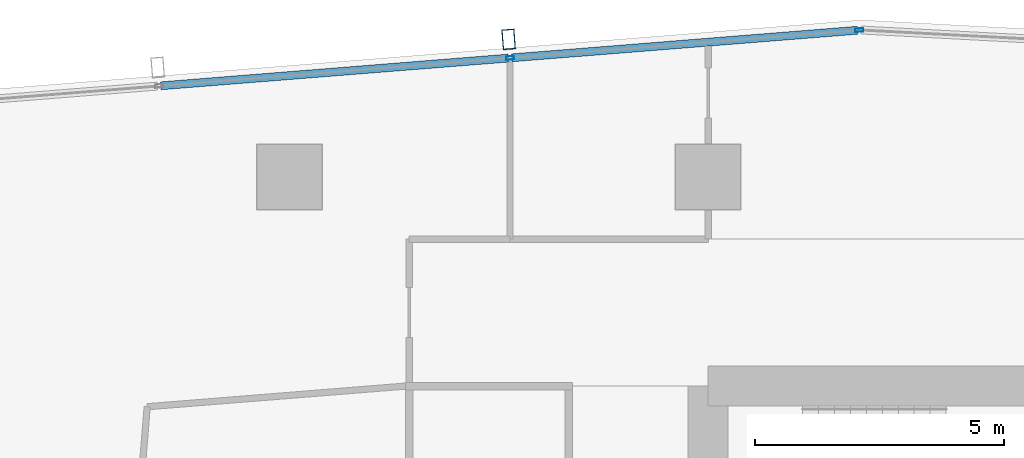
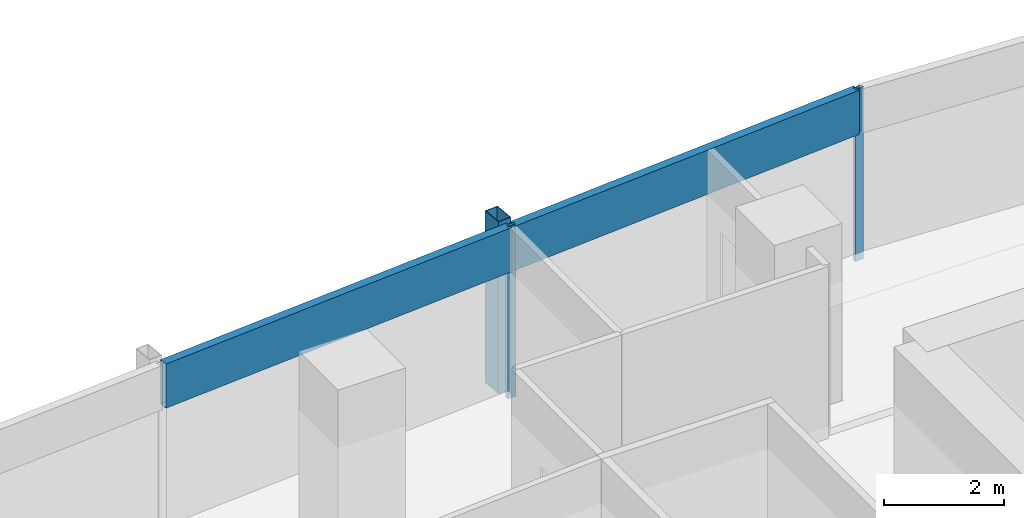
# One storey, part 13 of 26: 5 members, 1 element without a shape of its own.
"""IFC4 building model written with IfcOpenShell, lengths in metres."""

from ifc_helpers import new_model, si_unit, direction, frame, origin, origin_2d, place, context, subcontext, project, spatial, hollow_rectangle, extrude, material, material_profile, profile_set, type_object, element, aggregate, save


model = new_model("IFC4")

# Units and contexts
model_context = context("Model", 3, precision=1e-05, world=origin(), true_north=direction((0.0, 1.0)))
body_context = subcontext(model_context, "Body", "Model", "MODEL_VIEW")
ifc_project = project(units=[si_unit("LENGTHUNIT", "METRE"), si_unit("AREAUNIT", "SQUARE_METRE"), si_unit("VOLUMEUNIT", "CUBIC_METRE"), si_unit("PLANEANGLEUNIT", "RADIAN"), si_unit("MASSUNIT", "GRAM", prefix="KILO")], contexts=[model_context])

# Site, building, storey
site_placement = place(None, origin())
site = spatial("IfcSite", under=ifc_project, at=site_placement, CompositionType="ELEMENT")
building_placement = place(site_placement, origin())
building = spatial("IfcBuilding", under=site, at=building_placement, Name="Rekha Terrace Tower", CompositionType="ELEMENT")
storey_placement = place(building_placement, frame((0.0, 0.0, 283.85009765625)))
storey = spatial("IfcBuildingStorey", under=building, at=storey_placement, Name="L72", CompositionType="ELEMENT", Elevation=283.85009765625)

# Curtain wall, members
ifc_material_1 = material(Name="Aluminium framing", Category="aluminium")
curtain_wall_type = type_object("IfcCurtainWallType", Name="CW3 north unitised glazing", PredefinedType="USERDEFINED", material=ifc_material_1)
curtain_wall_placement = place(storey_placement, origin())
curtain_wall = element("IfcCurtainWall", 1, at=curtain_wall_placement, inside=storey, type_object=curtain_wall_type, Name="CW3 unitised curtain wall", ObjectType="UNITISED CURTAIN WALL", PredefinedType="USERDEFINED")
ifc_material_2 = material(Name="Steel S355 with fluorocarbon finish", Category="steel")
ifc_material_profile_1 = material_profile(ifc_material_2, hollow_rectangle(XDim=0.25, YDim=0.39990234375, WallThickness=0.012451171875, at=origin_2d()), Name="RHS400x250x12.5")
ifc_profile_set_1 = profile_set([ifc_material_profile_1], Name="Steel S355 with fluorocarbon finish")
member_type_1 = type_object("IfcMemberType", Name="BL1 facade blade RHS 400 x 250", PredefinedType="USERDEFINED", material=ifc_profile_set_1)
member_1_placement = place(storey_placement, frame((21.197021484375, 53.16162109375, 0.0), z_axis=(0.0, 0.0, 1.0), x_axis=(-0.996836012392, -0.079485623849, 0.0)))
member_1 = element("IfcMember", 2, at=member_1_placement, type_object=member_type_1, Name="Facade blade", ObjectType="FACADE BLADE", PredefinedType="USERDEFINED", context=body_context, shape_type="SweptSolid", body=[
    extrude(hollow_rectangle(XDim=0.25, YDim=0.39990234375, WallThickness=0.012451171875, at=origin_2d()), origin(), (0.0, 0.0, 1.0), 3.5),
])
ifc_material_3 = material(Name="Aluminium mullion section", Category="aluminium")
ifc_material_profile_2 = material_profile(ifc_material_3, hollow_rectangle(XDim=0.070068359375, YDim=0.159912109375, WallThickness=0.00390625, at=origin_2d()), Name="AL RHS 70x160")
ifc_profile_set_2 = profile_set([ifc_material_profile_2], Name="Aluminium mullion section")
member_type_2 = type_object("IfcMemberType", Name="CW3 mullion RHS 70 x 160", PredefinedType="MULLION", material=ifc_profile_set_2)
member_2_placement = place(storey_placement, frame((28.23779296875, 53.3466796875, 0.0), z_axis=(0.0, 0.0, 1.0), x_axis=(0.07948505154, -0.996836058026, 0.0)))
member_2 = element("IfcMember", 3, at=member_2_placement, type_object=member_type_2, Name="CW3 mullion 1", PredefinedType="MULLION", context=body_context, shape_type="SweptSolid", body=[
    extrude(hollow_rectangle(XDim=0.070068359375, YDim=0.159912109375, WallThickness=0.00390625, at=origin_2d()), origin(), (0.0, 0.0, 1.0), 3.5),
])
member_3_placement = place(storey_placement, frame((21.22705078125, 52.787841796875, 0.0), z_axis=(0.0, 0.0, 1.0), x_axis=(0.07948505154, -0.996836058026, 0.0)))
member_3 = element("IfcMember", 4, at=member_3_placement, type_object=member_type_2, Name="CW3 mullion 2", PredefinedType="MULLION", context=body_context, shape_type="SweptSolid", body=[
    extrude(hollow_rectangle(XDim=0.070068359375, YDim=0.159912109375, WallThickness=0.00390625, at=origin_2d()), origin(), (0.0, 0.0, 1.0), 3.5),
])
ifc_material_4 = material(Name="Insulated aluminium spandrel box", Category="aluminium")
ifc_material_profile_3 = material_profile(ifc_material_4, hollow_rectangle(XDim=0.159912109375, YDim=0.89990234375, WallThickness=0.0029296875, at=origin_2d()), Name="AL SPANDREL BOX 160x900")
ifc_profile_set_3 = profile_set([ifc_material_profile_3], Name="Insulated aluminium spandrel box")
member_type_3 = type_object("IfcMemberType", Name="CW3 spandrel transom 160 x 900", PredefinedType="USERDEFINED", material=ifc_profile_set_3)
member_4_placement = place(storey_placement, frame((28.202880859375, 53.343994140625, 3.0498046875), z_axis=(-0.996836091906, -0.079484626652, 0.0), x_axis=(0.079484626652, -0.996836091906, 0.0)))
member_4 = element("IfcMember", 5, at=member_4_placement, type_object=member_type_3, Name="CW3 spandrel transom 1", ObjectType="TRANSOM", PredefinedType="USERDEFINED", context=body_context, shape_type="SweptSolid", body=[
    extrude(hollow_rectangle(XDim=0.159912109375, YDim=0.89990234375, WallThickness=0.0029296875, at=origin_2d()), origin(), (0.0, 0.0, 1.0), 6.963134765625),
])
member_5_placement = place(storey_placement, frame((21.192138671875, 52.784912109375, 3.0498046875), z_axis=(-0.996837204037, -0.079470677917, 0.0), x_axis=(0.079470677917, -0.996837204037, 0.0)))
member_5 = element("IfcMember", 6, at=member_5_placement, type_object=member_type_3, Name="CW3 spandrel transom 2", ObjectType="TRANSOM", PredefinedType="USERDEFINED", context=body_context, shape_type="SweptSolid", body=[
    extrude(hollow_rectangle(XDim=0.159912109375, YDim=0.89990234375, WallThickness=0.0029296875, at=origin_2d()), origin(), (0.0, 0.0, 1.0), 6.998291015625),
])
aggregate(curtain_wall, [member_2, member_3, member_4, member_5, member_1])

save(model, "model.ifc")
